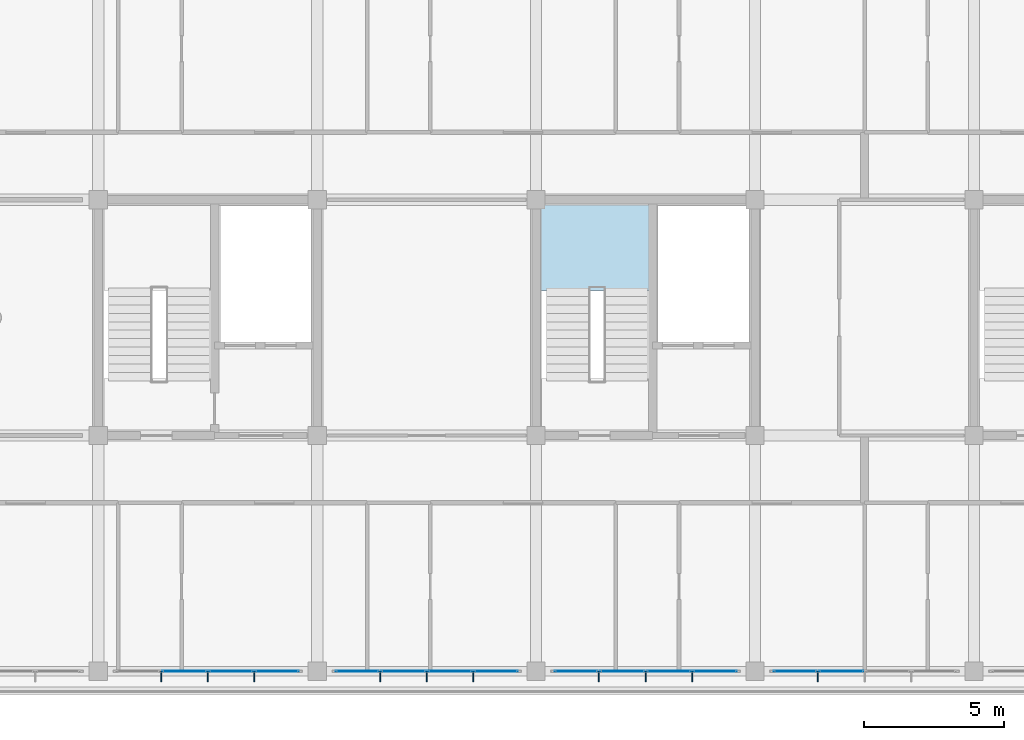
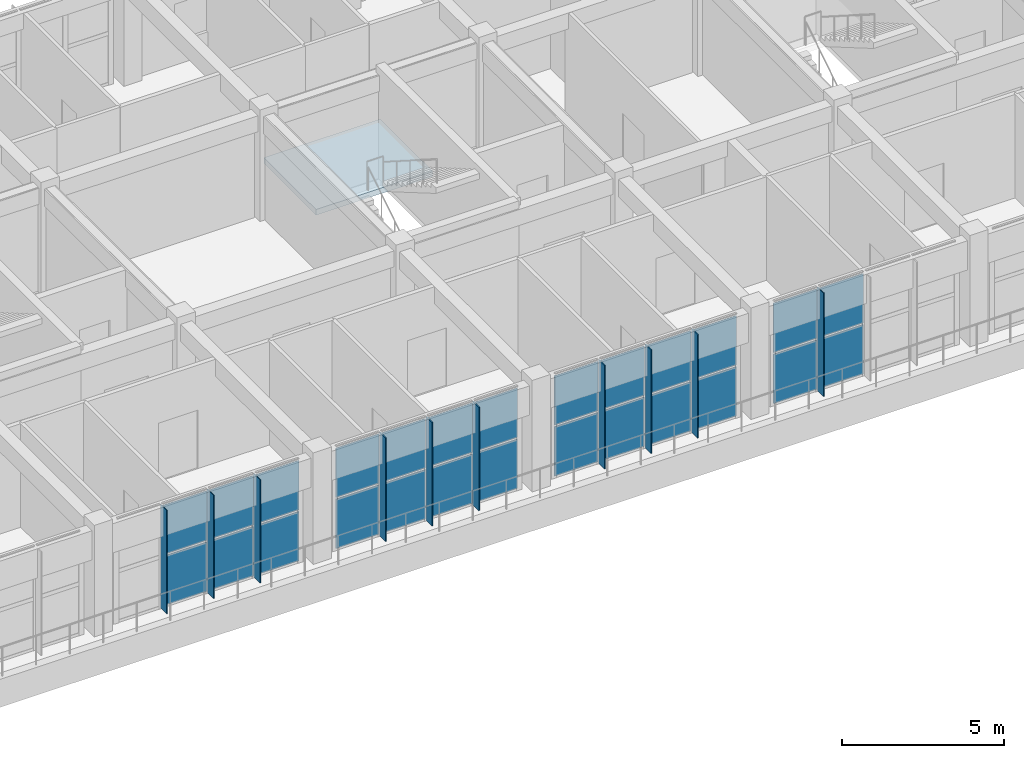
# One storey, part 39 of 57: 36 plates, 1 slab, 5 elements without a shape of their own.
"""IFC4 building model written with IfcOpenShell, lengths in metres."""

from ifc_helpers import new_model, si_unit, direction, frame, origin, origin_2d, place, context, subcontext, project, spatial, polyline, rectangle, outline, extrude, material, layer, layer_set, type_object, element, aggregate, save


model = new_model("IFC4")

# Units and contexts
model_context = context("Model", 3, precision=1e-05, world=origin(), true_north=direction((0.0, 1.0)))
body_context = subcontext(model_context, "Body", "Model", "MODEL_VIEW")
ifc_project = project(units=[si_unit("LENGTHUNIT", "METRE"), si_unit("AREAUNIT", "SQUARE_METRE"), si_unit("VOLUMEUNIT", "CUBIC_METRE"), si_unit("PLANEANGLEUNIT", "RADIAN"), si_unit("MASSUNIT", "GRAM", prefix="KILO")], contexts=[model_context])

# Site, building, storey
site_placement = place(None, origin())
site = spatial("IfcSite", under=ifc_project, at=site_placement, CompositionType="ELEMENT")
building_placement = place(site_placement, origin())
building = spatial("IfcBuilding", under=site, at=building_placement, Name="Zizhar Promenade General Hospital", CompositionType="ELEMENT")
storey_placement = place(building_placement, frame((0.0, 0.0, 22.199951171875)))
storey = spatial("IfcBuildingStorey", under=building, at=storey_placement, Name="L05", CompositionType="ELEMENT", Elevation=22.199951171875)

# Curtain wall, plates
ifc_material_1 = material(Name="Anodised aluminium 6063-T6 and low-E glass", Category="aluminium")
ifc_layer_1 = layer(ifc_material_1, 0.159912109375)
ifc_layer_set_1 = layer_set([ifc_layer_1], Name="Anodised aluminium 6063-T6 and low-E glass")
curtain_wall_type = type_object("IfcCurtainWallType", Name="CW-WARD-RIB", PredefinedType="NOTDEFINED", material=ifc_layer_set_1)
curtain_wall_1_placement = place(storey_placement, origin())
curtain_wall_1 = element("IfcCurtainWall", 1, at=curtain_wall_1_placement, inside=storey, type_object=curtain_wall_type, Name="Ward Ribbon Curtain Wall L05-17-5", PredefinedType="NOTDEFINED")
ifc_material_2 = material(Name="Low-E solar-control glass", Category="glass")
ifc_layer_2 = layer(ifc_material_2, 0.031982421875)
ifc_layer_set_2 = layer_set([ifc_layer_2], Name="Low-E solar-control glass")
plate_type_1 = type_object("IfcPlateType", Name="CWP-GLZ-32", PredefinedType="CURTAIN_PANEL", material=ifc_layer_set_2)
plate_1_placement = place(storey_placement, frame((73.27001953125, 0.0, 0.06005859375), z_axis=(0.0, 0.0, 1.0), x_axis=(-1.0, 0.0, 0.0)))
plate_1 = element("IfcPlate", 2, at=plate_1_placement, type_object=plate_type_1, Name="CW-13 panel 3.1", PredefinedType="CURTAIN_PANEL", context=body_context, shape_type="SweptSolid", body=[
    extrude(rectangle(XDim=1.580078125, YDim=0.031982421875, at=origin_2d()), origin(), (0.0, 0.0, 1.0), 1.860107421875),
])
plate_2_placement = place(storey_placement, frame((73.27001953125, 0.0, 1.97998046875), z_axis=(0.0, 0.0, 1.0), x_axis=(-1.0, 0.0, 0.0)))
plate_2 = element("IfcPlate", 3, at=plate_2_placement, type_object=plate_type_1, Name="CW-13 panel 3.2", PredefinedType="CURTAIN_PANEL", context=body_context, shape_type="SweptSolid", body=[
    extrude(rectangle(XDim=1.580078125, YDim=0.031982421875, at=origin_2d()), origin(), (0.0, 0.0, 1.0), 1.860107421875),
])
plate_3_placement = place(storey_placement, frame((71.6298828125, 0.0, 0.06005859375), z_axis=(0.0, 0.0, 1.0), x_axis=(-1.0, 0.0, 0.0)))
plate_3 = element("IfcPlate", 4, at=plate_3_placement, type_object=plate_type_1, Name="CW-13 panel 4.1", PredefinedType="CURTAIN_PANEL", context=body_context, shape_type="SweptSolid", body=[
    extrude(rectangle(XDim=1.5400390625, YDim=0.031982421875, at=origin_2d()), origin(), (0.0, 0.0, 1.0), 1.860107421875),
])
plate_4_placement = place(storey_placement, frame((71.6298828125, 0.0, 1.97998046875), z_axis=(0.0, 0.0, 1.0), x_axis=(-1.0, 0.0, 0.0)))
plate_4 = element("IfcPlate", 5, at=plate_4_placement, type_object=plate_type_1, Name="CW-13 panel 4.2", PredefinedType="CURTAIN_PANEL", context=body_context, shape_type="SweptSolid", body=[
    extrude(rectangle(XDim=1.5400390625, YDim=0.031982421875, at=origin_2d()), origin(), (0.0, 0.0, 1.0), 1.860107421875),
])
aggregate(curtain_wall_1, [plate_1, plate_2, plate_3, plate_4])

curtain_wall_2_placement = place(storey_placement, origin())
curtain_wall_2 = element("IfcCurtainWall", 6, at=curtain_wall_2_placement, inside=storey, type_object=curtain_wall_type, Name="Ward Ribbon Curtain Wall L05-17-6", PredefinedType="NOTDEFINED")
plate_5_placement = place(storey_placement, frame((68.77001953125, 0.0, 0.06005859375), z_axis=(0.0, 0.0, 1.0), x_axis=(-1.0, 0.0, 0.0)))
plate_5 = element("IfcPlate", 7, at=plate_5_placement, type_object=plate_type_1, Name="CW-13 panel 1.1", PredefinedType="CURTAIN_PANEL", context=body_context, shape_type="SweptSolid", body=[
    extrude(rectangle(XDim=1.5400390625, YDim=0.031982421875, at=origin_2d()), origin(), (0.0, 0.0, 1.0), 1.860107421875),
])
plate_6_placement = place(storey_placement, frame((68.77001953125, 0.0, 1.97998046875), z_axis=(0.0, 0.0, 1.0), x_axis=(-1.0, 0.0, 0.0)))
plate_6 = element("IfcPlate", 8, at=plate_6_placement, type_object=plate_type_1, Name="CW-13 panel 1.2", PredefinedType="CURTAIN_PANEL", context=body_context, shape_type="SweptSolid", body=[
    extrude(rectangle(XDim=1.5400390625, YDim=0.031982421875, at=origin_2d()), origin(), (0.0, 0.0, 1.0), 1.860107421875),
])
plate_7_placement = place(storey_placement, frame((67.1298828125, 0.0, 0.06005859375), z_axis=(0.0, 0.0, 1.0), x_axis=(-1.0, 0.0, 0.0)))
plate_7 = element("IfcPlate", 9, at=plate_7_placement, type_object=plate_type_1, Name="CW-13 panel 2.1", PredefinedType="CURTAIN_PANEL", context=body_context, shape_type="SweptSolid", body=[
    extrude(rectangle(XDim=1.580078125, YDim=0.031982421875, at=origin_2d()), origin(), (0.0, 0.0, 1.0), 1.860107421875),
])
plate_8_placement = place(storey_placement, frame((67.1298828125, 0.0, 1.97998046875), z_axis=(0.0, 0.0, 1.0), x_axis=(-1.0, 0.0, 0.0)))
plate_8 = element("IfcPlate", 10, at=plate_8_placement, type_object=plate_type_1, Name="CW-13 panel 2.2", PredefinedType="CURTAIN_PANEL", context=body_context, shape_type="SweptSolid", body=[
    extrude(rectangle(XDim=1.580078125, YDim=0.031982421875, at=origin_2d()), origin(), (0.0, 0.0, 1.0), 1.860107421875),
])
plate_9_placement = place(storey_placement, frame((65.469970703125, 0.0, 0.06005859375), z_axis=(0.0, 0.0, 1.0), x_axis=(-1.0, 0.0, 0.0)))
plate_9 = element("IfcPlate", 11, at=plate_9_placement, type_object=plate_type_1, Name="CW-13 panel 3.1", PredefinedType="CURTAIN_PANEL", context=body_context, shape_type="SweptSolid", body=[
    extrude(rectangle(XDim=1.580078125, YDim=0.031982421875, at=origin_2d()), origin(), (0.0, 0.0, 1.0), 1.860107421875),
])
plate_10_placement = place(storey_placement, frame((65.469970703125, 0.0, 1.97998046875), z_axis=(0.0, 0.0, 1.0), x_axis=(-1.0, 0.0, 0.0)))
plate_10 = element("IfcPlate", 12, at=plate_10_placement, type_object=plate_type_1, Name="CW-13 panel 3.2", PredefinedType="CURTAIN_PANEL", context=body_context, shape_type="SweptSolid", body=[
    extrude(rectangle(XDim=1.580078125, YDim=0.031982421875, at=origin_2d()), origin(), (0.0, 0.0, 1.0), 1.860107421875),
])
plate_11_placement = place(storey_placement, frame((63.830078125, 0.0, 0.06005859375), z_axis=(0.0, 0.0, 1.0), x_axis=(-1.0, 0.0, 0.0)))
plate_11 = element("IfcPlate", 13, at=plate_11_placement, type_object=plate_type_1, Name="CW-13 panel 4.1", PredefinedType="CURTAIN_PANEL", context=body_context, shape_type="SweptSolid", body=[
    extrude(rectangle(XDim=1.5400390625, YDim=0.031982421875, at=origin_2d()), origin(), (0.0, 0.0, 1.0), 1.860107421875),
])
plate_12_placement = place(storey_placement, frame((63.830078125, 0.0, 1.97998046875), z_axis=(0.0, 0.0, 1.0), x_axis=(-1.0, 0.0, 0.0)))
plate_12 = element("IfcPlate", 14, at=plate_12_placement, type_object=plate_type_1, Name="CW-13 panel 4.2", PredefinedType="CURTAIN_PANEL", context=body_context, shape_type="SweptSolid", body=[
    extrude(rectangle(XDim=1.5400390625, YDim=0.031982421875, at=origin_2d()), origin(), (0.0, 0.0, 1.0), 1.860107421875),
])
aggregate(curtain_wall_2, [plate_5, plate_6, plate_7, plate_8, plate_9, plate_10, plate_11, plate_12])

curtain_wall_3_placement = place(storey_placement, origin())
curtain_wall_3 = element("IfcCurtainWall", 15, at=curtain_wall_3_placement, inside=storey, type_object=curtain_wall_type, Name="Ward Ribbon Curtain Wall L05-17-7", PredefinedType="NOTDEFINED")
plate_13_placement = place(storey_placement, frame((60.969970703125, 0.0, 0.06005859375), z_axis=(0.0, 0.0, 1.0), x_axis=(-1.0, 0.0, 0.0)))
plate_13 = element("IfcPlate", 16, at=plate_13_placement, type_object=plate_type_1, Name="CW-13 panel 1.1", PredefinedType="CURTAIN_PANEL", context=body_context, shape_type="SweptSolid", body=[
    extrude(rectangle(XDim=1.5400390625, YDim=0.031982421875, at=origin_2d()), origin(), (0.0, 0.0, 1.0), 1.860107421875),
])
plate_14_placement = place(storey_placement, frame((60.969970703125, 0.0, 1.97998046875), z_axis=(0.0, 0.0, 1.0), x_axis=(-1.0, 0.0, 0.0)))
plate_14 = element("IfcPlate", 17, at=plate_14_placement, type_object=plate_type_1, Name="CW-13 panel 1.2", PredefinedType="CURTAIN_PANEL", context=body_context, shape_type="SweptSolid", body=[
    extrude(rectangle(XDim=1.5400390625, YDim=0.031982421875, at=origin_2d()), origin(), (0.0, 0.0, 1.0), 1.860107421875),
])
plate_15_placement = place(storey_placement, frame((59.330078125, 0.0, 0.06005859375), z_axis=(0.0, 0.0, 1.0), x_axis=(-1.0, 0.0, 0.0)))
plate_15 = element("IfcPlate", 18, at=plate_15_placement, type_object=plate_type_1, Name="CW-13 panel 2.1", PredefinedType="CURTAIN_PANEL", context=body_context, shape_type="SweptSolid", body=[
    extrude(rectangle(XDim=1.580078125, YDim=0.031982421875, at=origin_2d()), origin(), (0.0, 0.0, 1.0), 1.860107421875),
])
plate_16_placement = place(storey_placement, frame((59.330078125, 0.0, 1.97998046875), z_axis=(0.0, 0.0, 1.0), x_axis=(-1.0, 0.0, 0.0)))
plate_16 = element("IfcPlate", 19, at=plate_16_placement, type_object=plate_type_1, Name="CW-13 panel 2.2", PredefinedType="CURTAIN_PANEL", context=body_context, shape_type="SweptSolid", body=[
    extrude(rectangle(XDim=1.580078125, YDim=0.031982421875, at=origin_2d()), origin(), (0.0, 0.0, 1.0), 1.860107421875),
])
plate_17_placement = place(storey_placement, frame((57.669921875, 0.0, 0.06005859375), z_axis=(0.0, 0.0, 1.0), x_axis=(-1.0, 0.0, 0.0)))
plate_17 = element("IfcPlate", 20, at=plate_17_placement, type_object=plate_type_1, Name="CW-13 panel 3.1", PredefinedType="CURTAIN_PANEL", context=body_context, shape_type="SweptSolid", body=[
    extrude(rectangle(XDim=1.580078125, YDim=0.031982421875, at=origin_2d()), origin(), (0.0, 0.0, 1.0), 1.860107421875),
])
plate_18_placement = place(storey_placement, frame((57.669921875, 0.0, 1.97998046875), z_axis=(0.0, 0.0, 1.0), x_axis=(-1.0, 0.0, 0.0)))
plate_18 = element("IfcPlate", 21, at=plate_18_placement, type_object=plate_type_1, Name="CW-13 panel 3.2", PredefinedType="CURTAIN_PANEL", context=body_context, shape_type="SweptSolid", body=[
    extrude(rectangle(XDim=1.580078125, YDim=0.031982421875, at=origin_2d()), origin(), (0.0, 0.0, 1.0), 1.860107421875),
])
plate_19_placement = place(storey_placement, frame((56.030029296875, 0.0, 0.06005859375), z_axis=(0.0, 0.0, 1.0), x_axis=(-1.0, 0.0, 0.0)))
plate_19 = element("IfcPlate", 22, at=plate_19_placement, type_object=plate_type_1, Name="CW-13 panel 4.1", PredefinedType="CURTAIN_PANEL", context=body_context, shape_type="SweptSolid", body=[
    extrude(rectangle(XDim=1.5400390625, YDim=0.031982421875, at=origin_2d()), origin(), (0.0, 0.0, 1.0), 1.860107421875),
])
plate_20_placement = place(storey_placement, frame((56.030029296875, 0.0, 1.97998046875), z_axis=(0.0, 0.0, 1.0), x_axis=(-1.0, 0.0, 0.0)))
plate_20 = element("IfcPlate", 23, at=plate_20_placement, type_object=plate_type_1, Name="CW-13 panel 4.2", PredefinedType="CURTAIN_PANEL", context=body_context, shape_type="SweptSolid", body=[
    extrude(rectangle(XDim=1.5400390625, YDim=0.031982421875, at=origin_2d()), origin(), (0.0, 0.0, 1.0), 1.860107421875),
])
aggregate(curtain_wall_3, [plate_13, plate_14, plate_15, plate_16, plate_17, plate_18, plate_19, plate_20])

curtain_wall_4_placement = place(storey_placement, origin())
curtain_wall_4 = element("IfcCurtainWall", 24, at=curtain_wall_4_placement, inside=storey, type_object=curtain_wall_type, Name="Ward Ribbon Curtain Wall L05-17-8", PredefinedType="NOTDEFINED")
plate_21_placement = place(storey_placement, frame((53.169921875, 0.0, 0.06005859375), z_axis=(0.0, 0.0, 1.0), x_axis=(-1.0, 0.0, 0.0)))
plate_21 = element("IfcPlate", 25, at=plate_21_placement, type_object=plate_type_1, Name="CW-13 panel 1.1", PredefinedType="CURTAIN_PANEL", context=body_context, shape_type="SweptSolid", body=[
    extrude(rectangle(XDim=1.5400390625, YDim=0.031982421875, at=origin_2d()), origin(), (0.0, 0.0, 1.0), 1.860107421875),
])
plate_22_placement = place(storey_placement, frame((53.169921875, 0.0, 1.97998046875), z_axis=(0.0, 0.0, 1.0), x_axis=(-1.0, 0.0, 0.0)))
plate_22 = element("IfcPlate", 26, at=plate_22_placement, type_object=plate_type_1, Name="CW-13 panel 1.2", PredefinedType="CURTAIN_PANEL", context=body_context, shape_type="SweptSolid", body=[
    extrude(rectangle(XDim=1.5400390625, YDim=0.031982421875, at=origin_2d()), origin(), (0.0, 0.0, 1.0), 1.860107421875),
])
plate_23_placement = place(storey_placement, frame((51.530029296875, 0.0, 0.06005859375), z_axis=(0.0, 0.0, 1.0), x_axis=(-1.0, 0.0, 0.0)))
plate_23 = element("IfcPlate", 27, at=plate_23_placement, type_object=plate_type_1, Name="CW-13 panel 2.1", PredefinedType="CURTAIN_PANEL", context=body_context, shape_type="SweptSolid", body=[
    extrude(rectangle(XDim=1.580078125, YDim=0.031982421875, at=origin_2d()), origin(), (0.0, 0.0, 1.0), 1.860107421875),
])
plate_24_placement = place(storey_placement, frame((51.530029296875, 0.0, 1.97998046875), z_axis=(0.0, 0.0, 1.0), x_axis=(-1.0, 0.0, 0.0)))
plate_24 = element("IfcPlate", 28, at=plate_24_placement, type_object=plate_type_1, Name="CW-13 panel 2.2", PredefinedType="CURTAIN_PANEL", context=body_context, shape_type="SweptSolid", body=[
    extrude(rectangle(XDim=1.580078125, YDim=0.031982421875, at=origin_2d()), origin(), (0.0, 0.0, 1.0), 1.860107421875),
])
plate_25_placement = place(storey_placement, frame((49.8701171875, 0.0, 0.06005859375), z_axis=(0.0, 0.0, 1.0), x_axis=(-1.0, 0.0, 0.0)))
plate_25 = element("IfcPlate", 29, at=plate_25_placement, type_object=plate_type_1, Name="CW-13 panel 3.1", PredefinedType="CURTAIN_PANEL", context=body_context, shape_type="SweptSolid", body=[
    extrude(rectangle(XDim=1.580078125, YDim=0.031982421875, at=origin_2d()), origin(), (0.0, 0.0, 1.0), 1.860107421875),
])
plate_26_placement = place(storey_placement, frame((49.8701171875, 0.0, 1.97998046875), z_axis=(0.0, 0.0, 1.0), x_axis=(-1.0, 0.0, 0.0)))
plate_26 = element("IfcPlate", 30, at=plate_26_placement, type_object=plate_type_1, Name="CW-13 panel 3.2", PredefinedType="CURTAIN_PANEL", context=body_context, shape_type="SweptSolid", body=[
    extrude(rectangle(XDim=1.580078125, YDim=0.031982421875, at=origin_2d()), origin(), (0.0, 0.0, 1.0), 1.860107421875),
])
aggregate(curtain_wall_4, [plate_21, plate_22, plate_23, plate_24, plate_25, plate_26])

# Plates
ifc_material_3 = material(Name="Anodised aluminium 6063-T6", Category="aluminium")
ifc_layer_3 = layer(ifc_material_3, 0.035888671875)
ifc_layer_set_3 = layer_set([ifc_layer_3], Name="Anodised aluminium 6063-T6")
plate_type_2 = type_object("IfcPlateType", Name="FIN-ALU-380", PredefinedType="USERDEFINED", material=ifc_layer_set_3)
plate_27_placement = place(storey_placement, origin())
element("IfcPlate", 31, at=plate_27_placement, inside=storey, type_object=plate_type_2, Name="Ward Ribbon Curtain Wall L05-17-5 Solar Fin 3", ObjectType="SOLAR_SHADE", PredefinedType="USERDEFINED", context=body_context, shape_type="SweptSolid", body=[
    extrude(outline(polyline([(72.4580078125, 0.0), (72.422119140625, 0.0), (72.422119140625, -0.3798828125), (72.4580078125, -0.3798828125), (72.4580078125, 0.0)])), origin(), (0.0, 0.0, 1.0), 3.900146484375),
])
plate_28_placement = place(storey_placement, origin())
element("IfcPlate", 32, at=plate_28_placement, inside=storey, type_object=plate_type_2, Name="Ward Ribbon Curtain Wall L05-17-6 Solar Fin 1", ObjectType="SOLAR_SHADE", PredefinedType="USERDEFINED", context=body_context, shape_type="SweptSolid", body=[
    extrude(outline(polyline([(67.97802734375, 0.0), (67.94189453125, 0.0), (67.94189453125, -0.3798828125), (67.97802734375, -0.3798828125), (67.97802734375, 0.0)])), origin(), (0.0, 0.0, 1.0), 3.900146484375),
])
plate_29_placement = place(storey_placement, origin())
element("IfcPlate", 33, at=plate_29_placement, inside=storey, type_object=plate_type_2, Name="Ward Ribbon Curtain Wall L05-17-6 Solar Fin 2", ObjectType="SOLAR_SHADE", PredefinedType="USERDEFINED", context=body_context, shape_type="SweptSolid", body=[
    extrude(outline(polyline([(66.318115234375, 0.0), (66.281982421875, 0.0), (66.281982421875, -0.3798828125), (66.318115234375, -0.3798828125), (66.318115234375, 0.0)])), origin(), (0.0, 0.0, 1.0), 3.900146484375),
])
plate_30_placement = place(storey_placement, origin())
element("IfcPlate", 34, at=plate_30_placement, inside=storey, type_object=plate_type_2, Name="Ward Ribbon Curtain Wall L05-17-6 Solar Fin 3", ObjectType="SOLAR_SHADE", PredefinedType="USERDEFINED", context=body_context, shape_type="SweptSolid", body=[
    extrude(outline(polyline([(64.657958984375, 0.0), (64.6220703125, 0.0), (64.6220703125, -0.3798828125), (64.657958984375, -0.3798828125), (64.657958984375, 0.0)])), origin(), (0.0, 0.0, 1.0), 3.900146484375),
])
plate_31_placement = place(storey_placement, origin())
element("IfcPlate", 35, at=plate_31_placement, inside=storey, type_object=plate_type_2, Name="Ward Ribbon Curtain Wall L05-17-7 Solar Fin 1", ObjectType="SOLAR_SHADE", PredefinedType="USERDEFINED", context=body_context, shape_type="SweptSolid", body=[
    extrude(outline(polyline([(60.177978515625, 0.0), (60.14208984375, 0.0), (60.14208984375, -0.3798828125), (60.177978515625, -0.3798828125), (60.177978515625, 0.0)])), origin(), (0.0, 0.0, 1.0), 3.900146484375),
])
plate_32_placement = place(storey_placement, origin())
element("IfcPlate", 36, at=plate_32_placement, inside=storey, type_object=plate_type_2, Name="Ward Ribbon Curtain Wall L05-17-7 Solar Fin 2", ObjectType="SOLAR_SHADE", PredefinedType="USERDEFINED", context=body_context, shape_type="SweptSolid", body=[
    extrude(outline(polyline([(58.51806640625, 0.0), (58.48193359375, 0.0), (58.48193359375, -0.3798828125), (58.51806640625, -0.3798828125), (58.51806640625, 0.0)])), origin(), (0.0, 0.0, 1.0), 3.900146484375),
])
plate_33_placement = place(storey_placement, origin())
element("IfcPlate", 37, at=plate_33_placement, inside=storey, type_object=plate_type_2, Name="Ward Ribbon Curtain Wall L05-17-7 Solar Fin 3", ObjectType="SOLAR_SHADE", PredefinedType="USERDEFINED", context=body_context, shape_type="SweptSolid", body=[
    extrude(outline(polyline([(56.85791015625, 0.0), (56.822021484375, 0.0), (56.822021484375, -0.3798828125), (56.85791015625, -0.3798828125), (56.85791015625, 0.0)])), origin(), (0.0, 0.0, 1.0), 3.900146484375),
])
plate_34_placement = place(storey_placement, origin())
element("IfcPlate", 38, at=plate_34_placement, inside=storey, type_object=plate_type_2, Name="Ward Ribbon Curtain Wall L05-17-8 Solar Fin 1", ObjectType="SOLAR_SHADE", PredefinedType="USERDEFINED", context=body_context, shape_type="SweptSolid", body=[
    extrude(outline(polyline([(52.3779296875, 0.0), (52.342041015625, 0.0), (52.342041015625, -0.3798828125), (52.3779296875, -0.3798828125), (52.3779296875, 0.0)])), origin(), (0.0, 0.0, 1.0), 3.900146484375),
])
plate_35_placement = place(storey_placement, origin())
element("IfcPlate", 39, at=plate_35_placement, inside=storey, type_object=plate_type_2, Name="Ward Ribbon Curtain Wall L05-17-8 Solar Fin 2", ObjectType="SOLAR_SHADE", PredefinedType="USERDEFINED", context=body_context, shape_type="SweptSolid", body=[
    extrude(outline(polyline([(50.718017578125, 0.0), (50.681884765625, 0.0), (50.681884765625, -0.3798828125), (50.718017578125, -0.3798828125), (50.718017578125, 0.0)])), origin(), (0.0, 0.0, 1.0), 3.900146484375),
])
plate_36_placement = place(storey_placement, origin())
element("IfcPlate", 40, at=plate_36_placement, inside=storey, type_object=plate_type_2, Name="Ward Ribbon Curtain Wall L05-17-8 Solar Fin 3", ObjectType="SOLAR_SHADE", PredefinedType="USERDEFINED", context=body_context, shape_type="SweptSolid", body=[
    extrude(outline(polyline([(49.05810546875, 0.0), (49.02197265625, 0.0), (49.02197265625, -0.3798828125), (49.05810546875, -0.3798828125), (49.05810546875, 0.0)])), origin(), (0.0, 0.0, 1.0), 3.900146484375),
])

# Stair, slab
ifc_material_4 = material(Name="Concrete C35/45", Category="concrete")
stair_type = type_object("IfcStairType", Name="STR-DOG-420", PredefinedType="HALF_TURN_STAIR", material=ifc_material_4)
stair_placement = place(storey_placement, origin())
stair = element("IfcStair", 41, at=stair_placement, inside=storey, type_object=stair_type, Name="Exit Stair ST-03 (L05 to L06)", PredefinedType="HALF_TURN_STAIR")
ifc_material_5 = material(Name="Concrete C35/45", Category="concrete")
ifc_layer_4 = layer(ifc_material_5, 0.2099609375)
ifc_layer_set_4 = layer_set([ifc_layer_4], Name="Concrete C35/45")
slab_type = type_object("IfcSlabType", Name="SLB-LAND-420", PredefinedType="LANDING", material=ifc_layer_set_4)
slab_placement = place(storey_placement, frame((0.0, 0.0, 1.89013671875)))
slab = element("IfcSlab", 42, at=slab_placement, type_object=slab_type, Name="ST-03C landing 1", PredefinedType="LANDING", context=body_context, shape_type="SweptSolid", body=[
    extrude(outline(polyline([(62.39990234375, 13.570068359375), (66.550048828125, 13.570068359375), (66.550048828125, 16.800048828125), (62.39990234375, 16.800048828125), (62.39990234375, 13.570068359375)])), origin(), (0.0, 0.0, 1.0), 0.2099609375),
])
aggregate(stair, [slab])

save(model, "model.ifc")
